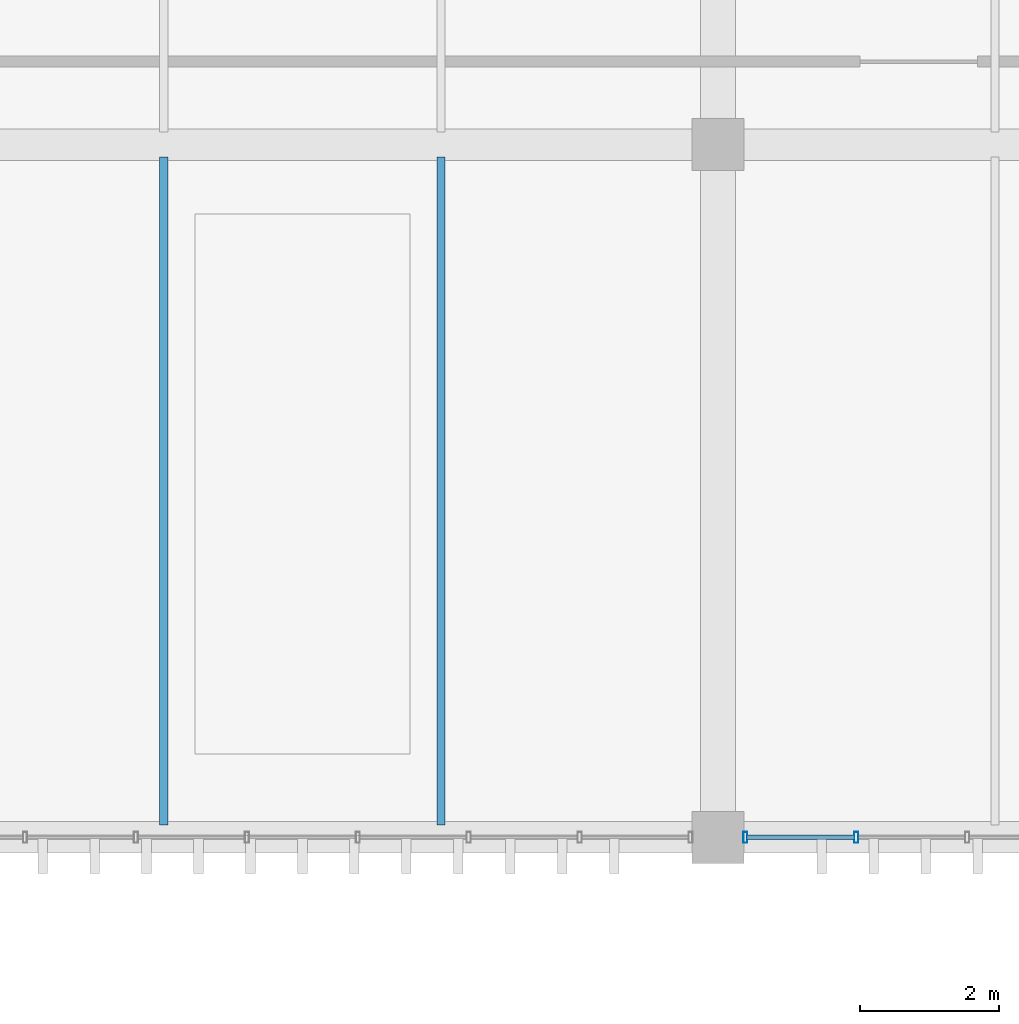
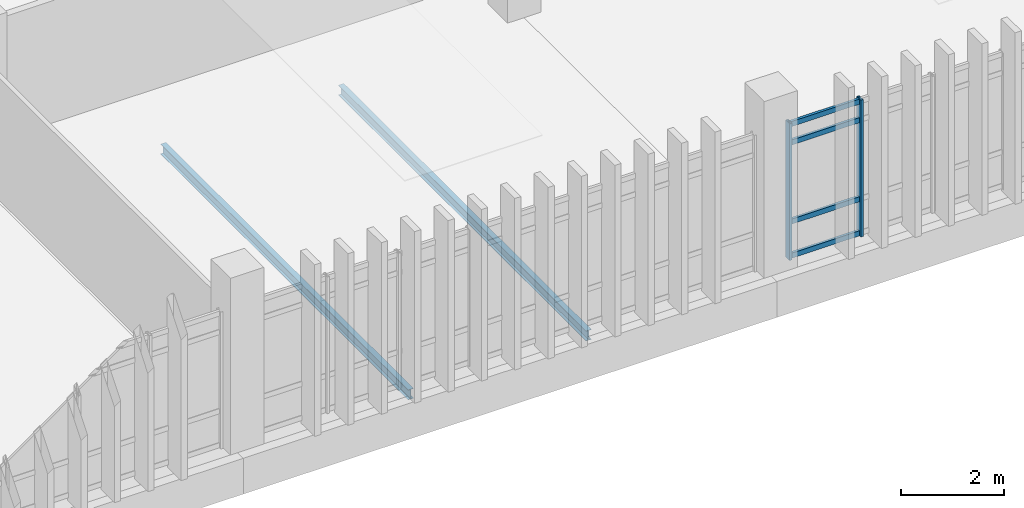
# One storey, part 35 of 111: 6 members, 2 beams, 1 element without a shape of its own.
"""IFC4 building model written with IfcOpenShell, lengths in metres."""

from ifc_helpers import new_model, si_unit, direction, frame, origin, origin_2d, place, context, subcontext, project, spatial, hollow_rectangle, i_section, extrude, material, layer, layer_set, material_profile, profile_set, type_object, element, aggregate, save


model = new_model("IFC4")

# Units and contexts
model_context = context("Model", 3, precision=1e-05, world=origin(), true_north=direction((0.0, 1.0)))
body_context = subcontext(model_context, "Body", "Model", "MODEL_VIEW")
ifc_project = project(units=[si_unit("LENGTHUNIT", "METRE"), si_unit("AREAUNIT", "SQUARE_METRE"), si_unit("VOLUMEUNIT", "CUBIC_METRE"), si_unit("PLANEANGLEUNIT", "RADIAN"), si_unit("MASSUNIT", "GRAM", prefix="KILO")], contexts=[model_context])

# Site, building, storey
site_placement = place(None, origin())
site = spatial("IfcSite", under=ifc_project, at=site_placement, CompositionType="ELEMENT")
building_placement = place(site_placement, origin())
building = spatial("IfcBuilding", under=site, at=building_placement, Name="Mersad Railyard Sports Hall", CompositionType="ELEMENT")
storey_placement = place(building_placement, frame((0.0, 0.0, 9.0)))
storey = spatial("IfcBuildingStorey", under=building, at=storey_placement, Name="L02", CompositionType="ELEMENT", Elevation=9.0)

# Curtain wall, members
ifc_material_1 = material(Name="Aluminium 6063-T6", Category="aluminium")
ifc_layer = layer(ifc_material_1, 0.159912109375)
ifc_layer_set = layer_set([ifc_layer], Name="Aluminium 6063-T6")
curtain_wall_type = type_object("IfcCurtainWallType", Name="ARC-CW-CW54", PredefinedType="USERDEFINED", material=ifc_layer_set)
curtain_wall_placement = place(storey_placement, origin())
curtain_wall = element("IfcCurtainWall", 1, at=curtain_wall_placement, inside=storey, type_object=curtain_wall_type, Name="Curtain wall CW54-0146", ObjectType="CURTAIN WALL", PredefinedType="USERDEFINED")
ifc_material_profile_1 = material_profile(ifc_material_1, hollow_rectangle(XDim=0.06005859375, YDim=0.159912109375, WallThickness=0.00390625, at=origin_2d()), Name="AL MULLION 60x160x4")
ifc_profile_set_1 = profile_set([ifc_material_profile_1], Name="Aluminium 6063-T6")
member_type_1 = type_object("IfcMemberType", Name="ARC-CW-MUL01", PredefinedType="MULLION", material=ifc_profile_set_1)
member_1_placement = place(storey_placement, frame((80.996337890625, 85.0, -0.02001953125), z_axis=(0.0, 0.0, 1.0), x_axis=(1.0, 0.0, 0.0)))
member_1 = element("IfcMember", 2, at=member_1_placement, type_object=member_type_1, Name="CW54 Mullion 7", PredefinedType="MULLION", context=body_context, shape_type="SweptSolid", body=[
    extrude(hollow_rectangle(XDim=0.06005859375, YDim=0.159912109375, WallThickness=0.00390625, at=origin_2d()), origin(), (0.0, 0.0, 1.0), 3.25),
])
member_2_placement = place(storey_placement, frame((79.39501953125, 85.0, -0.02001953125), z_axis=(0.0, 0.0, 1.0), x_axis=(1.0, 0.0, 0.0)))
member_2 = element("IfcMember", 3, at=member_2_placement, type_object=member_type_1, Name="CW54 Mullion 8", PredefinedType="MULLION", context=body_context, shape_type="SweptSolid", body=[
    extrude(hollow_rectangle(XDim=0.06005859375, YDim=0.159912109375, WallThickness=0.00390625, at=origin_2d()), origin(), (0.0, 0.0, 1.0), 3.25),
])
ifc_material_profile_2 = material_profile(ifc_material_1, hollow_rectangle(XDim=0.06005859375, YDim=0.1201171875, WallThickness=0.00390625, at=origin_2d()), Name="AL TRANSOM 60x120x4")
ifc_profile_set_2 = profile_set([ifc_material_profile_2], Name="Aluminium 6063-T6")
member_type_2 = type_object("IfcMemberType", Name="ARC-CW-TRN01", PredefinedType="USERDEFINED", material=ifc_profile_set_2)
member_3_placement = place(storey_placement, frame((80.976318359375, 85.0, 0.0400390625), z_axis=(-1.0, 0.0, 0.0), x_axis=(0.0, -1.0, 0.0)))
member_3 = element("IfcMember", 4, at=member_3_placement, type_object=member_type_2, Name="CW54 Transom 1-7", ObjectType="TRANSOM", PredefinedType="USERDEFINED", context=body_context, shape_type="SweptSolid", body=[
    extrude(hollow_rectangle(XDim=0.06005859375, YDim=0.1201171875, WallThickness=0.00390625, at=origin_2d()), origin(), (0.0, 0.0, 1.0), 1.561279296875),
])
member_4_placement = place(storey_placement, frame((80.976318359375, 85.0, 0.85009765625), z_axis=(-1.0, 0.0, 0.0), x_axis=(0.0, -1.0, 0.0)))
member_4 = element("IfcMember", 5, at=member_4_placement, type_object=member_type_2, Name="CW54 Transom 2-7", ObjectType="TRANSOM", PredefinedType="USERDEFINED", context=body_context, shape_type="SweptSolid", body=[
    extrude(hollow_rectangle(XDim=0.06005859375, YDim=0.1201171875, WallThickness=0.00390625, at=origin_2d()), origin(), (0.0, 0.0, 1.0), 1.561279296875),
])
member_5_placement = place(storey_placement, frame((80.976318359375, 85.0, 2.72998046875), z_axis=(-1.0, 0.0, 0.0), x_axis=(0.0, -1.0, 0.0)))
member_5 = element("IfcMember", 6, at=member_5_placement, type_object=member_type_2, Name="CW54 Transom 3-7", ObjectType="TRANSOM", PredefinedType="USERDEFINED", context=body_context, shape_type="SweptSolid", body=[
    extrude(hollow_rectangle(XDim=0.06005859375, YDim=0.1201171875, WallThickness=0.00390625, at=origin_2d()), origin(), (0.0, 0.0, 1.0), 1.561279296875),
])
member_6_placement = place(storey_placement, frame((80.976318359375, 85.0, 3.169921875), z_axis=(-1.0, 0.0, 0.0), x_axis=(0.0, -1.0, 0.0)))
member_6 = element("IfcMember", 7, at=member_6_placement, type_object=member_type_2, Name="CW54 Transom 4-7", ObjectType="TRANSOM", PredefinedType="USERDEFINED", context=body_context, shape_type="SweptSolid", body=[
    extrude(hollow_rectangle(XDim=0.06005859375, YDim=0.1201171875, WallThickness=0.00390625, at=origin_2d()), origin(), (0.0, 0.0, 1.0), 1.561279296875),
])
aggregate(curtain_wall, [member_1, member_2, member_3, member_4, member_5, member_6])

# Beams
ifc_material_2 = material(Name="Steel S355", Category="steel")
ifc_material_profile_3 = material_profile(ifc_material_2, i_section(OverallWidth=0.1201171875, OverallDepth=0.239990234375, WebThickness=0.006103515625, FlangeThickness=0.009765625, at=origin_2d()), Name="IPE 240")
ifc_profile_set_3 = profile_set([ifc_material_profile_3], Name="Steel S355")
beam_type = type_object("IfcBeamType", Name="STR-BM-SB03", PredefinedType="BEAM", material=ifc_profile_set_3)
for number, where, z_axis, x_axis, name in (
    (8, (71.0, 85.179931640625, -0.419921875), (0.0, 1.0, 0.0), (-1.0, 0.0, 0.0), "Beam SB03-1161"),
    (9, (75.0, 85.179931640625, -0.419921875), (0.0, 1.0, 0.0), (-1.0, 0.0, 0.0), "Beam SB03-1162"),
):
    element("IfcBeam", number, at=place(storey_placement, frame(where, z_axis=z_axis, x_axis=x_axis)), inside=storey, type_object=beam_type, Name=name, PredefinedType="BEAM", context=body_context, shape_type="SweptSolid", body=[
        extrude(i_section(OverallWidth=0.1201171875, OverallDepth=0.239990234375, WebThickness=0.006103515625, FlangeThickness=0.009765625, at=origin_2d()), origin(), (0.0, 0.0, 1.0), 9.64013671875),
    ])

save(model, "model.ifc")
